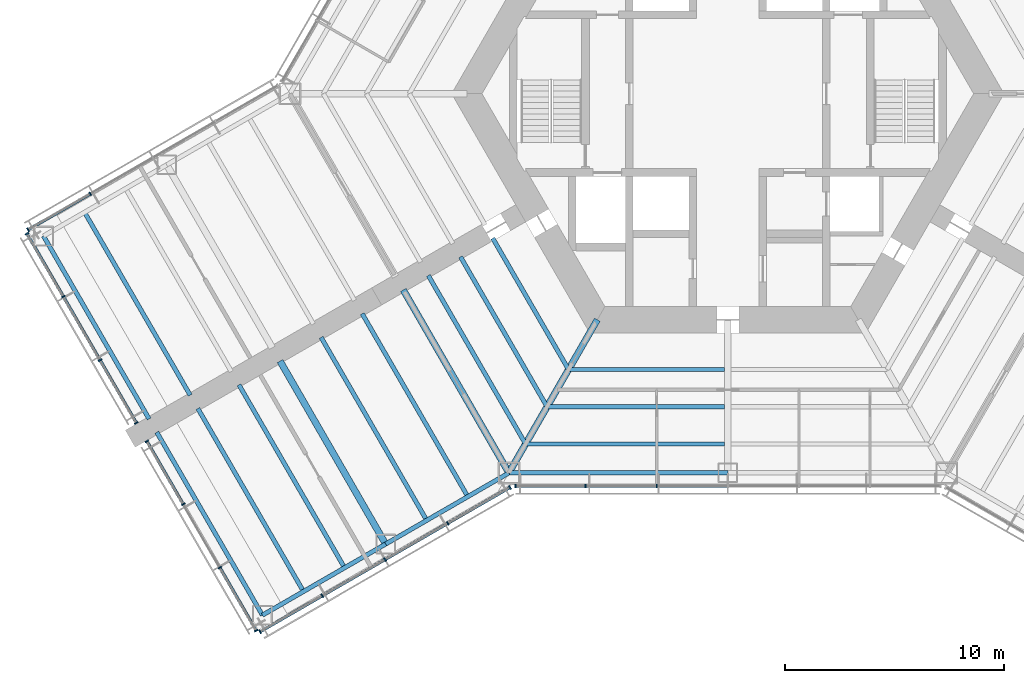
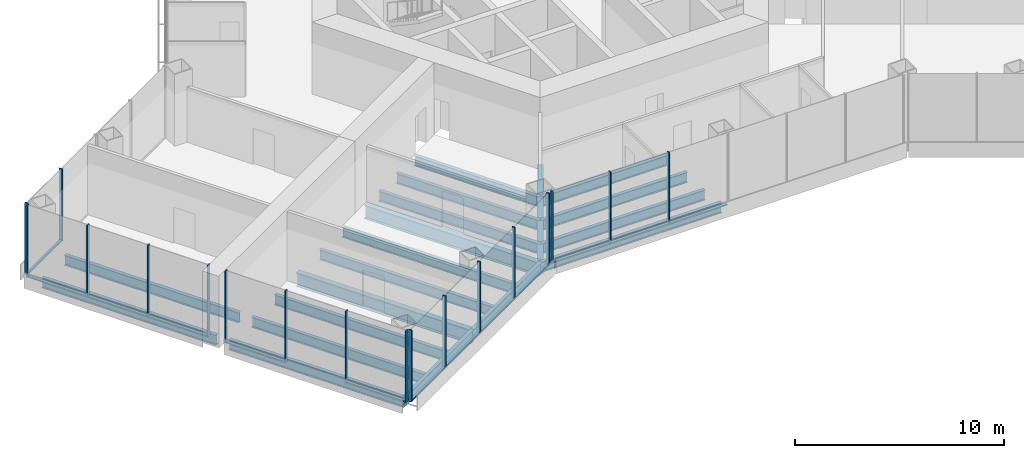
# One storey, part 2 of 16: 31 members, 19 beams, 5 elements without a shape of their own.
"""IFC4 building model written with IfcOpenShell, lengths in metres."""

from ifc_helpers import new_model, si_unit, direction, frame, origin, origin_2d, place, context, subcontext, project, spatial, rectangle, i_section, extrude, material, material_profile, profile_set, type_object, element, aggregate, save


model = new_model("IFC4")

# Units and contexts
model_context = context("Model", 3, precision=1e-05, world=origin(), true_north=direction((0.0, 1.0)))
body_context = subcontext(model_context, "Body", "Model", "MODEL_VIEW")
ifc_project = project(units=[si_unit("LENGTHUNIT", "METRE"), si_unit("AREAUNIT", "SQUARE_METRE"), si_unit("VOLUMEUNIT", "CUBIC_METRE"), si_unit("PLANEANGLEUNIT", "RADIAN"), si_unit("MASSUNIT", "GRAM", prefix="KILO")], contexts=[model_context])

# Site, building, storey
site_placement = place(None, origin())
site = spatial("IfcSite", under=ifc_project, at=site_placement, CompositionType="ELEMENT")
building_placement = place(site_placement, origin())
building = spatial("IfcBuilding", under=site, at=building_placement, Name="Kasaneha Research Tower", CompositionType="ELEMENT")
storey_placement = place(building_placement, frame((0.0, 0.0, 26.800048828125)))
storey = spatial("IfcBuildingStorey", under=building, at=storey_placement, Name="L07", CompositionType="ELEMENT", Elevation=26.800048828125)

# Beams
ifc_material_1 = material(Name="Steel SN490B", Category="steel")
ifc_material_profile_1 = material_profile(ifc_material_1, i_section(OverallWidth=0.199951171875, OverallDepth=0.60009765625, WebThickness=0.010986328125, FlangeThickness=0.01708984375, FilletRadius=0.012939453125, at=origin_2d()), Name="H-600x200x11x17")
ifc_profile_set_1 = profile_set([ifc_material_profile_1], Name="Steel SN490B")
beam_type_1 = type_object("IfcBeamType", Name="B1-1 secondary beam H-600x200x11x17", PredefinedType="JOIST", material=ifc_profile_set_1)
beam_1_placement = place(storey_placement, frame((-7.274658203125, -12.60009765625, -0.5), z_axis=(-0.499972710878, 0.866041158593, 0.0), x_axis=(-0.866041158593, -0.499972710878, 0.0)))
element("IfcBeam", 1, at=beam_1_placement, inside=storey, type_object=beam_type_1, Name="Secondary beam RS210R1 L07", PredefinedType="JOIST", context=body_context, shape_type="SweptSolid", body=[
    extrude(i_section(OverallWidth=0.199951171875, OverallDepth=0.60009765625, WebThickness=0.010986328125, FlangeThickness=0.01708984375, FilletRadius=0.012939453125, at=origin_2d()), origin(), (0.0, 0.0, 1.0), 6.9248046875),
])
beam_2_placement = place(storey_placement, frame((-8.256103515625, -14.300048828125, -0.5), z_axis=(-0.500004902938, 0.866022573054, 0.0), x_axis=(-0.866022573054, -0.500004902938, 0.0)))
element("IfcBeam", 2, at=beam_2_placement, inside=storey, type_object=beam_type_1, Name="Secondary beam RS210R2 L07", PredefinedType="JOIST", context=body_context, shape_type="SweptSolid", body=[
    extrude(i_section(OverallWidth=0.199951171875, OverallDepth=0.60009765625, WebThickness=0.010986328125, FlangeThickness=0.01708984375, FilletRadius=0.012939453125, at=origin_2d()), origin(), (0.0, 0.0, 1.0), 7.90625),
])
beam_3_placement = place(storey_placement, frame((-9.237548828125, -16.0, -0.5), z_axis=(-0.500009382636, 0.866019986649, 0.0), x_axis=(-0.866019986649, -0.500009382636, 0.0)))
element("IfcBeam", 3, at=beam_3_placement, inside=storey, type_object=beam_type_1, Name="Secondary beam RS210R3 L07", PredefinedType="JOIST", context=body_context, shape_type="SweptSolid", body=[
    extrude(i_section(OverallWidth=0.199951171875, OverallDepth=0.60009765625, WebThickness=0.010986328125, FlangeThickness=0.01708984375, FilletRadius=0.012939453125, at=origin_2d()), origin(), (0.0, 0.0, 1.0), 8.887451171875),
])
beam_4_placement = place(storey_placement, frame((-7.274658203125, -12.60009765625, -0.5), z_axis=(1.0, 0.0, 0.0), x_axis=(0.0, 1.0, 0.0)))
element("IfcBeam", 4, at=beam_4_placement, inside=storey, type_object=beam_type_1, Name="Secondary beam RS270L1 L07", PredefinedType="JOIST", context=body_context, shape_type="SweptSolid", body=[
    extrude(i_section(OverallWidth=0.199951171875, OverallDepth=0.60009765625, WebThickness=0.010986328125, FlangeThickness=0.01708984375, FilletRadius=0.012939453125, at=origin_2d()), origin(), (0.0, 0.0, 1.0), 7.124755859375),
])
beam_5_placement = place(storey_placement, frame((-8.256103515625, -14.300048828125, -0.5), z_axis=(1.0, 0.0, 0.0), x_axis=(0.0, 1.0, 0.0)))
element("IfcBeam", 5, at=beam_5_placement, inside=storey, type_object=beam_type_1, Name="Secondary beam RS270L2 L07", PredefinedType="JOIST", context=body_context, shape_type="SweptSolid", body=[
    extrude(i_section(OverallWidth=0.199951171875, OverallDepth=0.60009765625, WebThickness=0.010986328125, FlangeThickness=0.01708984375, FilletRadius=0.012939453125, at=origin_2d()), origin(), (0.0, 0.0, 1.0), 8.106201171875),
])
beam_6_placement = place(storey_placement, frame((-9.237548828125, -16.0, -0.5), z_axis=(1.0, 0.0, 0.0), x_axis=(0.0, 1.0, 0.0)))
element("IfcBeam", 6, at=beam_6_placement, inside=storey, type_object=beam_type_1, Name="Secondary beam RS270L3 L07", PredefinedType="JOIST", context=body_context, shape_type="SweptSolid", body=[
    extrude(i_section(OverallWidth=0.199951171875, OverallDepth=0.60009765625, WebThickness=0.010986328125, FlangeThickness=0.01708984375, FilletRadius=0.012939453125, at=origin_2d()), origin(), (0.0, 0.0, 1.0), 9.087646484375),
])
ifc_material_2 = material(Name="Steel SN490B", Category="steel")
ifc_material_profile_2 = material_profile(ifc_material_2, i_section(OverallWidth=0.198974609375, OverallDepth=0.595947265625, WebThickness=0.010009765625, FlangeThickness=0.014892578125, FilletRadius=0.012939453125, at=origin_2d()), Name="H-596x199x10x15")
ifc_profile_set_2 = profile_set([ifc_material_profile_2], Name="Steel SN490B")
beam_type_2 = type_object("IfcBeamType", Name="B2-1 secondary beam H-596x199x10x15", PredefinedType="JOIST", material=ifc_profile_set_2)
for number, where, z_axis, x_axis, name in (
    (7, (-29.3818359375, -5.416748046875, -0.498046875), (0.499994742786, -0.866028439017, 0.0), (0.866028439017, 0.499994742786, 0.0), "Secondary beam WBBP4 L07"),
    (8, (-11.87646484375, -18.40380859375, -0.498046875), (-0.499994742786, 0.866028439017, 0.0), (-0.866028439017, -0.499994742786, 0.0), "Secondary beam WBBN1 L07"),
    (9, (-13.752685546875, -19.487060546875, -0.498046875), (-0.500024672494, 0.866011158645, 0.0), (-0.866011158645, -0.500024672494, 0.0), "Secondary beam WBBN2 L07"),
    (10, (-17.505615234375, -21.65380859375, -0.498046875), (-0.499994742786, 0.866028439017, 0.0), (-0.866028439017, -0.499994742786, 0.0), "Secondary beam WBBN3 L07"),
    (11, (-19.3818359375, -22.737060546875, -0.498046875), (-0.500024672494, 0.866011158645, 0.0), (-0.866011158645, -0.500024672494, 0.0), "Secondary beam WBBN4 L07"),
):
    element("IfcBeam", number, at=place(storey_placement, frame(where, z_axis=z_axis, x_axis=x_axis)), inside=storey, type_object=beam_type_2, Name=name, PredefinedType="JOIST", context=body_context, shape_type="SweptSolid", body=[
        extrude(i_section(OverallWidth=0.198974609375, OverallDepth=0.595947265625, WebThickness=0.010009765625, FlangeThickness=0.014892578125, FilletRadius=0.012939453125, at=origin_2d()), origin(), (0.0, 0.0, 1.0), 9.64990234375),
    ])

# Curtain wall, members
ifc_material_3 = material(Name="Glass and aluminium", Category="aluminium")
curtain_wall_type = type_object("IfcCurtainWallType", Name="Wet laboratory curtain wall", PredefinedType="USERDEFINED", material=ifc_material_3)
curtain_wall_1_placement = place(storey_placement, origin())
curtain_wall_1 = element("IfcCurtainWall", 12, at=curtain_wall_1_placement, inside=storey, type_object=curtain_wall_type, Name="CW-L1 L07 run 01a", ObjectType="UNITISED CURTAIN WALL", PredefinedType="USERDEFINED")
ifc_material_4 = material(Name="Aluminium 6063-T6", Category="aluminium")
ifc_material_profile_3 = material_profile(ifc_material_4, rectangle(XDim=0.06494140625, YDim=0.179931640625, at=origin_2d()), Name="CW-L1 mullion 65x180")
ifc_profile_set_3 = profile_set([ifc_material_profile_3], Name="Aluminium 6063-T6")
member_type_1 = type_object("IfcMemberType", Name="CW-L1 mullion", PredefinedType="MULLION", material=ifc_profile_set_3)
member_1_placement = place(storey_placement, frame((-21.36328125, -24.573974609375, 0.0), z_axis=(0.0, 0.0, 1.0), x_axis=(0.866025411464, 0.499999986699, 0.0)))
member_1 = element("IfcMember", 13, at=member_1_placement, type_object=member_type_1, Name="CW-L1 mullion 1", PredefinedType="MULLION", context=body_context, shape_type="SweptSolid", body=[
    extrude(rectangle(XDim=0.06494140625, YDim=0.179931640625, at=origin_2d()), origin(), (0.0, 0.0, 1.0), 4.199951171875),
])
member_2_placement = place(storey_placement, frame((-18.52490234375, -22.935302734375, 0.0), z_axis=(0.0, 0.0, 1.0), x_axis=(0.866025411464, 0.499999986699, 0.0)))
member_2 = element("IfcMember", 14, at=member_2_placement, type_object=member_type_1, Name="CW-L1 mullion 2", PredefinedType="MULLION", context=body_context, shape_type="SweptSolid", body=[
    extrude(rectangle(XDim=0.06494140625, YDim=0.179931640625, at=origin_2d()), origin(), (0.0, 0.0, 1.0), 4.199951171875),
])
member_3_placement = place(storey_placement, frame((-15.65869140625, -21.2802734375, 0.0), z_axis=(0.0, 0.0, 1.0), x_axis=(0.866025411464, 0.499999986699, 0.0)))
member_3 = element("IfcMember", 15, at=member_3_placement, type_object=member_type_1, Name="CW-L1 mullion 3", PredefinedType="MULLION", context=body_context, shape_type="SweptSolid", body=[
    extrude(rectangle(XDim=0.06494140625, YDim=0.179931640625, at=origin_2d()), origin(), (0.0, 0.0, 1.0), 4.199951171875),
])
member_4_placement = place(storey_placement, frame((-12.792236328125, -19.62548828125, 0.0), z_axis=(0.0, 0.0, 1.0), x_axis=(0.866025411464, 0.499999986699, 0.0)))
member_4 = element("IfcMember", 16, at=member_4_placement, type_object=member_type_1, Name="CW-L1 mullion 4", PredefinedType="MULLION", context=body_context, shape_type="SweptSolid", body=[
    extrude(rectangle(XDim=0.06494140625, YDim=0.179931640625, at=origin_2d()), origin(), (0.0, 0.0, 1.0), 4.199951171875),
])
member_5_placement = place(storey_placement, frame((-9.953857421875, -17.98681640625, 0.0), z_axis=(0.0, 0.0, 1.0), x_axis=(0.866025411464, 0.499999986699, 0.0)))
member_5 = element("IfcMember", 17, at=member_5_placement, type_object=member_type_1, Name="CW-L1 mullion 5", PredefinedType="MULLION", context=body_context, shape_type="SweptSolid", body=[
    extrude(rectangle(XDim=0.06494140625, YDim=0.179931640625, at=origin_2d()), origin(), (0.0, 0.0, 1.0), 4.199951171875),
])

curtain_wall_2_placement = place(storey_placement, origin())
curtain_wall_2 = element("IfcCurtainWall", 18, at=curtain_wall_2_placement, inside=storey, type_object=curtain_wall_type, Name="CW-L1 L07 run 02a", ObjectType="UNITISED CURTAIN WALL", PredefinedType="USERDEFINED")
member_6_placement = place(storey_placement, frame((-9.706787109375, -17.92041015625, 0.0), z_axis=(0.0, 0.0, 1.0), x_axis=(1.0, 0.0, 0.0)))
member_6 = element("IfcMember", 19, at=member_6_placement, type_object=member_type_1, Name="CW-L1 mullion 1", PredefinedType="MULLION", context=body_context, shape_type="SweptSolid", body=[
    extrude(rectangle(XDim=0.06494140625, YDim=0.179931640625, at=origin_2d()), origin(), (0.0, 0.0, 1.0), 4.199951171875),
])
member_7_placement = place(storey_placement, frame((-6.492919921875, -17.92041015625, 0.0), z_axis=(0.0, 0.0, 1.0), x_axis=(1.0, 0.0, 0.0)))
member_7 = element("IfcMember", 20, at=member_7_placement, type_object=member_type_1, Name="CW-L1 mullion 2", PredefinedType="MULLION", context=body_context, shape_type="SweptSolid", body=[
    extrude(rectangle(XDim=0.06494140625, YDim=0.179931640625, at=origin_2d()), origin(), (0.0, 0.0, 1.0), 4.199951171875),
])
member_8_placement = place(storey_placement, frame((-3.246337890625, -17.92041015625, 0.0), z_axis=(0.0, 0.0, 1.0), x_axis=(1.0, 0.0, 0.0)))
member_8 = element("IfcMember", 21, at=member_8_placement, type_object=member_type_1, Name="CW-L1 mullion 3", PredefinedType="MULLION", context=body_context, shape_type="SweptSolid", body=[
    extrude(rectangle(XDim=0.06494140625, YDim=0.179931640625, at=origin_2d()), origin(), (0.0, 0.0, 1.0), 4.199951171875),
])

curtain_wall_3_placement = place(storey_placement, origin())
curtain_wall_3 = element("IfcCurtainWall", 22, at=curtain_wall_3_placement, inside=storey, type_object=curtain_wall_type, Name="CW-L1 L07 run 13a", ObjectType="UNITISED CURTAIN WALL", PredefinedType="USERDEFINED")
member_9_placement = place(storey_placement, frame((-29.125, -4.575439453125, 0.0), z_axis=(0.0, 0.0, 1.0), x_axis=(-0.866025411464, -0.499999986699, 0.0)))
member_9 = element("IfcMember", 23, at=member_9_placement, type_object=member_type_1, Name="CW-L1 mullion 4", PredefinedType="MULLION", context=body_context, shape_type="SweptSolid", body=[
    extrude(rectangle(XDim=0.06494140625, YDim=0.179931640625, at=origin_2d()), origin(), (0.0, 0.0, 1.0), 4.199951171875),
])
member_10_placement = place(storey_placement, frame((-31.963134765625, -6.214111328125, 0.0), z_axis=(0.0, 0.0, 1.0), x_axis=(-0.866025411464, -0.499999986699, 0.0)))
member_10 = element("IfcMember", 24, at=member_10_placement, type_object=member_type_1, Name="CW-L1 mullion 5", PredefinedType="MULLION", context=body_context, shape_type="SweptSolid", body=[
    extrude(rectangle(XDim=0.06494140625, YDim=0.179931640625, at=origin_2d()), origin(), (0.0, 0.0, 1.0), 4.199951171875),
])

curtain_wall_4_placement = place(storey_placement, origin())
curtain_wall_4 = element("IfcCurtainWall", 25, at=curtain_wall_4_placement, inside=storey, type_object=curtain_wall_type, Name="CW-L1 L07 run 14a", ObjectType="UNITISED CURTAIN WALL", PredefinedType="USERDEFINED")
member_11_placement = place(storey_placement, frame((-32.01171875, -6.39501953125, 0.0), z_axis=(0.0, 0.0, 1.0), x_axis=(0.500000011442, -0.866025397178, 0.0)))
member_11 = element("IfcMember", 26, at=member_11_placement, type_object=member_type_1, Name="CW-L1 mullion 1", PredefinedType="MULLION", context=body_context, shape_type="SweptSolid", body=[
    extrude(rectangle(XDim=0.06494140625, YDim=0.179931640625, at=origin_2d()), origin(), (0.0, 0.0, 1.0), 4.199951171875),
])
member_12_placement = place(storey_placement, frame((-30.35302734375, -9.26806640625, 0.0), z_axis=(0.0, 0.0, 1.0), x_axis=(0.500000011442, -0.866025397178, 0.0)))
member_12 = element("IfcMember", 27, at=member_12_placement, type_object=member_type_1, Name="CW-L1 mullion 2", PredefinedType="MULLION", context=body_context, shape_type="SweptSolid", body=[
    extrude(rectangle(XDim=0.06494140625, YDim=0.179931640625, at=origin_2d()), origin(), (0.0, 0.0, 1.0), 4.199951171875),
])
member_13_placement = place(storey_placement, frame((-28.677978515625, -12.16943359375, 0.0), z_axis=(0.0, 0.0, 1.0), x_axis=(0.500000011442, -0.866025397178, 0.0)))
member_13 = element("IfcMember", 28, at=member_13_placement, type_object=member_type_1, Name="CW-L1 mullion 3", PredefinedType="MULLION", context=body_context, shape_type="SweptSolid", body=[
    extrude(rectangle(XDim=0.06494140625, YDim=0.179931640625, at=origin_2d()), origin(), (0.0, 0.0, 1.0), 4.199951171875),
])
member_14_placement = place(storey_placement, frame((-27.019287109375, -15.04248046875, 0.0), z_axis=(0.0, 0.0, 1.0), x_axis=(0.500000011442, -0.866025397178, 0.0)))
member_14 = element("IfcMember", 29, at=member_14_placement, type_object=member_type_1, Name="CW-L1 mullion 4", PredefinedType="MULLION", context=body_context, shape_type="SweptSolid", body=[
    extrude(rectangle(XDim=0.06494140625, YDim=0.179931640625, at=origin_2d()), origin(), (0.0, 0.0, 1.0), 4.199951171875),
])

curtain_wall_5_placement = place(storey_placement, origin())
curtain_wall_5 = element("IfcCurtainWall", 30, at=curtain_wall_5_placement, inside=storey, type_object=curtain_wall_type, Name="CW-L1 L07 run 15a", ObjectType="UNITISED CURTAIN WALL", PredefinedType="USERDEFINED")
member_15_placement = place(storey_placement, frame((-26.53662109375, -15.878173828125, 0.0), z_axis=(0.0, 0.0, 1.0), x_axis=(0.500000011442, -0.866025397178, 0.0)))
member_15 = element("IfcMember", 31, at=member_15_placement, type_object=member_type_1, Name="CW-L1 mullion 1", PredefinedType="MULLION", context=body_context, shape_type="SweptSolid", body=[
    extrude(rectangle(XDim=0.06494140625, YDim=0.179931640625, at=origin_2d()), origin(), (0.0, 0.0, 1.0), 4.199951171875),
])
member_16_placement = place(storey_placement, frame((-24.8779296875, -18.751220703125, 0.0), z_axis=(0.0, 0.0, 1.0), x_axis=(0.500000011442, -0.866025397178, 0.0)))
member_16 = element("IfcMember", 32, at=member_16_placement, type_object=member_type_1, Name="CW-L1 mullion 2", PredefinedType="MULLION", context=body_context, shape_type="SweptSolid", body=[
    extrude(rectangle(XDim=0.06494140625, YDim=0.179931640625, at=origin_2d()), origin(), (0.0, 0.0, 1.0), 4.199951171875),
])
member_17_placement = place(storey_placement, frame((-23.202880859375, -21.65234375, 0.0), z_axis=(0.0, 0.0, 1.0), x_axis=(0.500000011442, -0.866025397178, 0.0)))
member_17 = element("IfcMember", 33, at=member_17_placement, type_object=member_type_1, Name="CW-L1 mullion 3", PredefinedType="MULLION", context=body_context, shape_type="SweptSolid", body=[
    extrude(rectangle(XDim=0.06494140625, YDim=0.179931640625, at=origin_2d()), origin(), (0.0, 0.0, 1.0), 4.199951171875),
])
member_18_placement = place(storey_placement, frame((-21.544189453125, -24.525390625, 0.0), z_axis=(0.0, 0.0, 1.0), x_axis=(0.500000011442, -0.866025397178, 0.0)))
member_18 = element("IfcMember", 34, at=member_18_placement, type_object=member_type_1, Name="CW-L1 mullion 4", PredefinedType="MULLION", context=body_context, shape_type="SweptSolid", body=[
    extrude(rectangle(XDim=0.06494140625, YDim=0.179931640625, at=origin_2d()), origin(), (0.0, 0.0, 1.0), 4.199951171875),
])

# Member
ifc_material_5 = material(Name="Aluminium 6063-T6", Category="aluminium")
ifc_material_profile_4 = material_profile(ifc_material_5, rectangle(XDim=0.139892578125, YDim=0.06494140625, at=origin_2d()), Name="CW-L1 transom 140x65")
ifc_profile_set_4 = profile_set([ifc_material_profile_4], Name="Aluminium 6063-T6")
member_type_2 = type_object("IfcMemberType", Name="CW-L1 transom", PredefinedType="USERDEFINED", material=ifc_profile_set_4)
member_19_placement = place(storey_placement, frame((-21.3349609375, -24.5576171875, 0.032470703125), z_axis=(0.86600331843, 0.500038251005, 0.0), x_axis=(-0.500038251005, 0.86600331843, 0.0)))
member_19 = element("IfcMember", 35, at=member_19_placement, type_object=member_type_2, Name="CW-L1 transom 1", ObjectType="TRANSOM", PredefinedType="USERDEFINED", context=body_context, shape_type="SweptSolid", body=[
    extrude(rectangle(XDim=0.139892578125, YDim=0.06494140625, at=origin_2d()), origin(), (0.0, 0.0, 1.0), 3.212158203125),
])

member_20_placement = place(storey_placement, frame((-18.496826171875, -22.9189453125, 0.032470703125), z_axis=(0.866035229914, 0.499982980259, 0.0), x_axis=(-0.499982980259, 0.866035229914, 0.0)))
member_20 = element("IfcMember", 36, at=member_20_placement, type_object=member_type_2, Name="CW-L1 transom 2", ObjectType="TRANSOM", PredefinedType="USERDEFINED", context=body_context, shape_type="SweptSolid", body=[
    extrude(rectangle(XDim=0.139892578125, YDim=0.06494140625, at=origin_2d()), origin(), (0.0, 0.0, 1.0), 3.24462890625),
])

member_21_placement = place(storey_placement, frame((-15.63037109375, -21.26416015625, 0.032470703125), z_axis=(0.866002649306, 0.500039409842, 0.0), x_axis=(-0.500039409842, 0.866002649306, 0.0)))
member_21 = element("IfcMember", 37, at=member_21_placement, type_object=member_type_2, Name="CW-L1 transom 3", ObjectType="TRANSOM", PredefinedType="USERDEFINED", context=body_context, shape_type="SweptSolid", body=[
    extrude(rectangle(XDim=0.139892578125, YDim=0.06494140625, at=origin_2d()), origin(), (0.0, 0.0, 1.0), 3.244873046875),
])

member_22_placement = place(storey_placement, frame((-12.76416015625, -19.609130859375, 0.032470703125), z_axis=(0.866022320763, 0.500005339912, 0.0), x_axis=(-0.500005339912, 0.866022320763, 0.0)))
member_22 = element("IfcMember", 38, at=member_22_placement, type_object=member_type_2, Name="CW-L1 transom 4", ObjectType="TRANSOM", PredefinedType="USERDEFINED", context=body_context, shape_type="SweptSolid", body=[
    extrude(rectangle(XDim=0.139892578125, YDim=0.06494140625, at=origin_2d()), origin(), (0.0, 0.0, 1.0), 3.21240234375),
])

aggregate(curtain_wall_1, [member_1, member_2, member_3, member_4, member_5, member_19, member_20, member_21, member_22])

member_23_placement = place(storey_placement, frame((-9.67431640625, -17.92041015625, 0.032470703125), z_axis=(1.0, 0.0, 0.0), x_axis=(0.0, 1.0, 0.0)))
member_23 = element("IfcMember", 39, at=member_23_placement, type_object=member_type_2, Name="CW-L1 transom 1", ObjectType="TRANSOM", PredefinedType="USERDEFINED", context=body_context, shape_type="SweptSolid", body=[
    extrude(rectangle(XDim=0.139892578125, YDim=0.06494140625, at=origin_2d()), origin(), (0.0, 0.0, 1.0), 3.14892578125),
])

member_24_placement = place(storey_placement, frame((-6.460205078125, -17.92041015625, 0.032470703125), z_axis=(1.0, 0.0, 0.0), x_axis=(0.0, 1.0, 0.0)))
member_24 = element("IfcMember", 40, at=member_24_placement, type_object=member_type_2, Name="CW-L1 transom 2", ObjectType="TRANSOM", PredefinedType="USERDEFINED", context=body_context, shape_type="SweptSolid", body=[
    extrude(rectangle(XDim=0.139892578125, YDim=0.06494140625, at=origin_2d()), origin(), (0.0, 0.0, 1.0), 3.181396484375),
])

member_25_placement = place(storey_placement, frame((-3.2138671875, -17.92041015625, 0.032470703125), z_axis=(1.0, 0.0, 0.0), x_axis=(0.0, 1.0, 0.0)))
member_25 = element("IfcMember", 41, at=member_25_placement, type_object=member_type_2, Name="CW-L1 transom 3", ObjectType="TRANSOM", PredefinedType="USERDEFINED", context=body_context, shape_type="SweptSolid", body=[
    extrude(rectangle(XDim=0.139892578125, YDim=0.06494140625, at=origin_2d()), origin(), (0.0, 0.0, 1.0), 3.181396484375),
])

aggregate(curtain_wall_2, [member_6, member_7, member_8, member_23, member_24, member_25])

member_26_placement = place(storey_placement, frame((-29.153076171875, -4.591796875, 0.032470703125), z_axis=(-0.866022320763, -0.500005339912, 0.0), x_axis=(0.500005339912, -0.866022320763, 0.0)))
member_26 = element("IfcMember", 42, at=member_26_placement, type_object=member_type_2, Name="CW-L1 transom 4", ObjectType="TRANSOM", PredefinedType="USERDEFINED", context=body_context, shape_type="SweptSolid", body=[
    extrude(rectangle(XDim=0.139892578125, YDim=0.06494140625, at=origin_2d()), origin(), (0.0, 0.0, 1.0), 3.21240234375),
])

aggregate(curtain_wall_3, [member_9, member_10, member_26])

member_27_placement = place(storey_placement, frame((-31.995361328125, -6.42333984375, 0.032470703125), z_axis=(0.500006189695, -0.866021830133, 0.0), x_axis=(0.866021830133, 0.500006189695, 0.0)))
member_27 = element("IfcMember", 43, at=member_27_placement, type_object=member_type_2, Name="CW-L1 transom 1", ObjectType="TRANSOM", PredefinedType="USERDEFINED", context=body_context, shape_type="SweptSolid", body=[
    extrude(rectangle(XDim=0.139892578125, YDim=0.06494140625, at=origin_2d()), origin(), (0.0, 0.0, 1.0), 3.25244140625),
])

member_28_placement = place(storey_placement, frame((-30.336669921875, -9.29638671875, 0.032470703125), z_axis=(0.500039835994, -0.866002403241, 0.0), x_axis=(0.866002403241, 0.500039835994, 0.0)))
member_28 = element("IfcMember", 44, at=member_28_placement, type_object=member_type_2, Name="CW-L1 transom 2", ObjectType="TRANSOM", PredefinedType="USERDEFINED", context=body_context, shape_type="SweptSolid", body=[
    extrude(rectangle(XDim=0.139892578125, YDim=0.06494140625, at=origin_2d()), origin(), (0.0, 0.0, 1.0), 3.284912109375),
])

member_29_placement = place(storey_placement, frame((-28.66162109375, -12.197509765625, 0.032470703125), z_axis=(0.500006189695, -0.866021830133, 0.0), x_axis=(0.866021830133, 0.500006189695, 0.0)))
member_29 = element("IfcMember", 45, at=member_29_placement, type_object=member_type_2, Name="CW-L1 transom 3", ObjectType="TRANSOM", PredefinedType="USERDEFINED", context=body_context, shape_type="SweptSolid", body=[
    extrude(rectangle(XDim=0.139892578125, YDim=0.06494140625, at=origin_2d()), origin(), (0.0, 0.0, 1.0), 3.25244140625),
])

aggregate(curtain_wall_4, [member_11, member_12, member_13, member_14, member_27, member_28, member_29])

member_30_placement = place(storey_placement, frame((-26.5205078125, -15.90625, 0.032470703125), z_axis=(0.500006189695, -0.866021830133, 0.0), x_axis=(0.866021830133, 0.500006189695, 0.0)))
member_30 = element("IfcMember", 46, at=member_30_placement, type_object=member_type_2, Name="CW-L1 transom 1", ObjectType="TRANSOM", PredefinedType="USERDEFINED", context=body_context, shape_type="SweptSolid", body=[
    extrude(rectangle(XDim=0.139892578125, YDim=0.06494140625, at=origin_2d()), origin(), (0.0, 0.0, 1.0), 3.25244140625),
])

member_31_placement = place(storey_placement, frame((-23.186767578125, -21.680419921875, 0.032470703125), z_axis=(0.499973687205, -0.866040594951, 0.0), x_axis=(0.866040594951, 0.499973687205, 0.0)))
member_31 = element("IfcMember", 47, at=member_31_placement, type_object=member_type_2, Name="CW-L1 transom 3", ObjectType="TRANSOM", PredefinedType="USERDEFINED", context=body_context, shape_type="SweptSolid", body=[
    extrude(rectangle(XDim=0.139892578125, YDim=0.06494140625, at=origin_2d()), origin(), (0.0, 0.0, 1.0), 3.252685546875),
])

aggregate(curtain_wall_5, [member_15, member_16, member_17, member_18, member_30, member_31])

# Beams
ifc_material_6 = material(Name="Steel SN490B", Category="steel")
ifc_material_profile_5 = material_profile(ifc_material_6, i_section(OverallWidth=0.300048828125, OverallDepth=0.699951171875, WebThickness=0.012939453125, FlangeThickness=0.02392578125, FilletRadius=0.01806640625, at=origin_2d()), Name="H-700x300x13x24")
ifc_profile_set_5 = profile_set([ifc_material_profile_5], Name="Steel SN490B")
beam_type_3 = type_object("IfcBeamType", Name="G1-1 radial girder H-700x300x13x24", PredefinedType="BEAM", material=ifc_profile_set_5)
beam_7_placement = place(storey_placement, frame((-5.961181640625, -10.324951171875, -0.550048828125), z_axis=(-0.49999105496, -0.866030568144, 0.0), x_axis=(0.866030568144, -0.49999105496, 0.0)))
element("IfcBeam", 48, at=beam_7_placement, inside=storey, type_object=beam_type_3, Name="Radial girder RV240 L07", PredefinedType="BEAM", context=body_context, shape_type="SweptSolid", body=[
    extrude(i_section(OverallWidth=0.300048828125, OverallDepth=0.699951171875, WebThickness=0.012939453125, FlangeThickness=0.02392578125, FilletRadius=0.01806640625, at=origin_2d()), origin(), (0.0, 0.0, 1.0), 8.077880859375),
])
ifc_material_7 = material(Name="Steel SN490B", Category="steel")
ifc_material_profile_6 = material_profile(ifc_material_7, i_section(OverallWidth=0.300048828125, OverallDepth=0.7919921875, WebThickness=0.013916015625, FlangeThickness=0.02197265625, FilletRadius=0.01806640625, at=origin_2d()), Name="H-792x300x14x22")
ifc_profile_set_6 = profile_set([ifc_material_profile_6], Name="Steel SN490B")
beam_type_4 = type_object("IfcBeamType", Name="G3-1 plate edge girder H-792x300x14x22", PredefinedType="BEAM", material=ifc_profile_set_6)
beam_8_placement = place(storey_placement, frame((-10.0, -17.320556640625, -0.595947265625), z_axis=(-0.499994742786, 0.866028439017, 0.0), x_axis=(-0.866028439017, -0.499994742786, 0.0)))
element("IfcBeam", 49, at=beam_8_placement, inside=storey, type_object=beam_type_4, Name="Plate edge girder PEBN L07", PredefinedType="BEAM", context=body_context, shape_type="SweptSolid", body=[
    extrude(i_section(OverallWidth=0.300048828125, OverallDepth=0.7919921875, WebThickness=0.013916015625, FlangeThickness=0.02197265625, FilletRadius=0.01806640625, at=origin_2d()), origin(), (0.0, 0.0, 1.0), 9.64990234375),
])
ifc_material_8 = material(Name="Steel SN490B", Category="steel")
ifc_material_profile_7 = material_profile(ifc_material_8, i_section(OverallWidth=0.300048828125, OverallDepth=0.800048828125, WebThickness=0.013916015625, FlangeThickness=0.02587890625, FilletRadius=0.01806640625, at=origin_2d()), Name="H-800x300x14x26")
ifc_profile_set_7 = profile_set([ifc_material_profile_7], Name="Steel SN490B")
beam_type_5 = type_object("IfcBeamType", Name="G4-1 wing girder H-800x300x14x26", PredefinedType="BEAM", material=ifc_profile_set_7)
beam_9_placement = place(storey_placement, frame((-15.629150390625, -20.570556640625, -0.60009765625), z_axis=(-0.499994742786, 0.866028439017, 0.0), x_axis=(-0.866028439017, -0.499994742786, 0.0)))
element("IfcBeam", 50, at=beam_9_placement, inside=storey, type_object=beam_type_5, Name="Wing girder WGBN L07", PredefinedType="BEAM", context=body_context, shape_type="SweptSolid", body=[
    extrude(i_section(OverallWidth=0.300048828125, OverallDepth=0.800048828125, WebThickness=0.013916015625, FlangeThickness=0.02587890625, FilletRadius=0.01806640625, at=origin_2d()), origin(), (0.0, 0.0, 1.0), 9.64990234375),
])
ifc_material_9 = material(Name="Steel SN490B", Category="steel")
ifc_material_profile_8 = material_profile(ifc_material_9, i_section(OverallWidth=0.199951171875, OverallDepth=0.60009765625, WebThickness=0.010986328125, FlangeThickness=0.01708984375, FilletRadius=0.012939453125, at=origin_2d()), Name="H-600x200x11x17")
ifc_profile_set_8 = profile_set([ifc_material_profile_8], Name="Steel SN490B")
beam_type_6 = type_object("IfcBeamType", Name="SB1-1 spandrel beam H-600x200x11x17", PredefinedType="SPANDREL", material=ifc_profile_set_8)
beam_10_placement = place(storey_placement, frame((-10.0, -17.320556640625, -0.5), z_axis=(1.0, 0.0, 0.0), x_axis=(0.0, 1.0, 0.0)))
element("IfcBeam", 51, at=beam_10_placement, inside=storey, type_object=beam_type_6, Name="Spandrel beam SR270L L07", PredefinedType="SPANDREL", context=body_context, shape_type="SweptSolid", body=[
    extrude(i_section(OverallWidth=0.199951171875, OverallDepth=0.60009765625, WebThickness=0.010986328125, FlangeThickness=0.01708984375, FilletRadius=0.012939453125, at=origin_2d()), origin(), (0.0, 0.0, 1.0), 10.0),
])
ifc_material_10 = material(Name="Steel SN490B", Category="steel")
ifc_material_profile_9 = material_profile(ifc_material_10, i_section(OverallWidth=0.199951171875, OverallDepth=0.5, WebThickness=0.010009765625, FlangeThickness=0.01611328125, FilletRadius=0.012939453125, at=origin_2d()), Name="H-500x200x10x16")
ifc_profile_set_9 = profile_set([ifc_material_profile_9], Name="Steel SN490B")
beam_type_7 = type_object("IfcBeamType", Name="SB2-1 spandrel beam H-500x200x10x16", PredefinedType="SPANDREL", material=ifc_profile_set_9)
for number, where, z_axis, x_axis, name in (
    (52, (-10.0, -17.320556640625, -0.449951171875), (-0.866024837091, -0.50000098154, 0.0), (0.50000098154, -0.866024837091, 0.0), "Spandrel beam WSBN1 L07"),
    (53, (-15.629150390625, -20.570556640625, -0.449951171875), (-0.866024837091, -0.50000098154, 0.0), (0.50000098154, -0.866024837091, 0.0), "Spandrel beam WSBN2 L07"),
):
    element("IfcBeam", number, at=place(storey_placement, frame(where, z_axis=z_axis, x_axis=x_axis)), inside=storey, type_object=beam_type_7, Name=name, PredefinedType="SPANDREL", context=body_context, shape_type="SweptSolid", body=[
        extrude(i_section(OverallWidth=0.199951171875, OverallDepth=0.5, WebThickness=0.010009765625, FlangeThickness=0.01611328125, FilletRadius=0.012939453125, at=origin_2d()), origin(), (0.0, 0.0, 1.0), 6.5),
    ])
ifc_material_11 = material(Name="Steel SN490B", Category="steel")
ifc_material_profile_10 = material_profile(ifc_material_11, i_section(OverallWidth=0.199951171875, OverallDepth=0.60009765625, WebThickness=0.010986328125, FlangeThickness=0.01708984375, FilletRadius=0.012939453125, at=origin_2d()), Name="H-600x200x11x17")
ifc_profile_set_10 = profile_set([ifc_material_profile_10], Name="Steel SN490B")
beam_type_8 = type_object("IfcBeamType", Name="SB3-1 spandrel beam H-600x200x11x17", PredefinedType="SPANDREL", material=ifc_profile_set_10)
for number, where, z_axis, x_axis, name in (
    (54, (-31.25830078125, -6.5, -0.5), (0.499994742786, -0.866028439017, 0.0), (0.866028439017, 0.499994742786, 0.0), "Spandrel beam WTBP L07"),
    (55, (-21.25830078125, -23.820556640625, -0.5), (-0.499994742786, 0.866028439017, 0.0), (-0.866028439017, -0.499994742786, 0.0), "Spandrel beam WTBN L07"),
):
    element("IfcBeam", number, at=place(storey_placement, frame(where, z_axis=z_axis, x_axis=x_axis)), inside=storey, type_object=beam_type_8, Name=name, PredefinedType="SPANDREL", context=body_context, shape_type="SweptSolid", body=[
        extrude(i_section(OverallWidth=0.199951171875, OverallDepth=0.60009765625, WebThickness=0.010986328125, FlangeThickness=0.01708984375, FilletRadius=0.012939453125, at=origin_2d()), origin(), (0.0, 0.0, 1.0), 9.64990234375),
    ])

save(model, "model.ifc")
